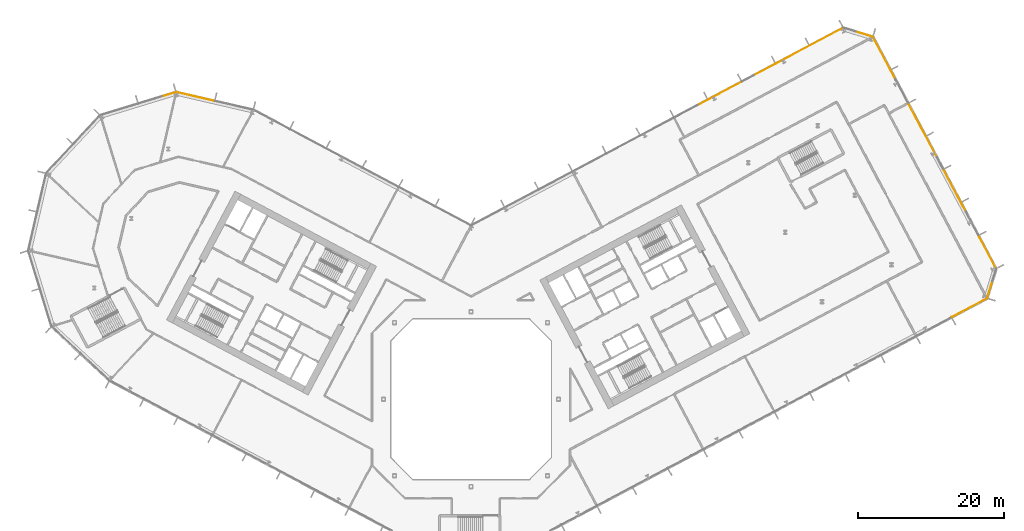
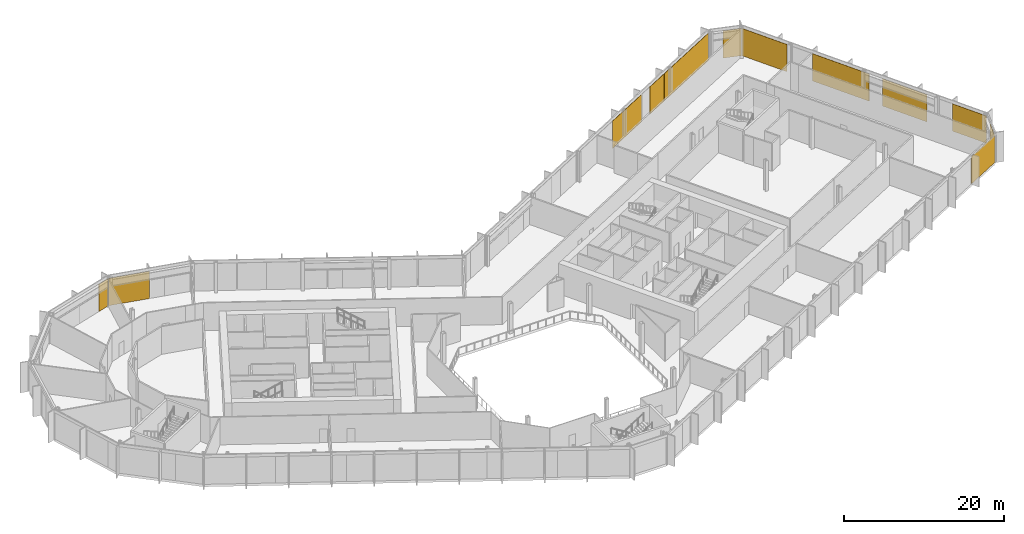
# One storey, part 30 of 30: 12 coverings, 7 elements without a shape of their own.
"""IFC4 building model written with IfcOpenShell, lengths in metres."""

from ifc_helpers import new_model, si_unit, direction, frame, origin, origin_2d, place, context, subcontext, project, spatial, rectangle, extrude, material, layer, layer_set, type_object, element, aggregate, save


model = new_model("IFC4")

# Units and contexts
model_context = context("Model", 3, precision=1e-05, world=origin(), true_north=direction((0.0, 1.0)))
body_context = subcontext(model_context, "Body", "Model", "MODEL_VIEW")
ifc_project = project(units=[si_unit("LENGTHUNIT", "METRE"), si_unit("AREAUNIT", "SQUARE_METRE"), si_unit("VOLUMEUNIT", "CUBIC_METRE"), si_unit("PLANEANGLEUNIT", "RADIAN"), si_unit("MASSUNIT", "GRAM", prefix="KILO")], contexts=[model_context])

# Site, building, storey
site_placement = place(None, origin())
site = spatial("IfcSite", under=ifc_project, at=site_placement, CompositionType="ELEMENT")
building_placement = place(site_placement, origin())
building = spatial("IfcBuilding", under=site, at=building_placement, Name="Cormorant Relay Tower", CompositionType="ELEMENT")
storey_placement = place(building_placement, frame((0.0, 0.0, 84.60009765625)))
storey = spatial("IfcBuildingStorey", under=building, at=storey_placement, Name="L16", CompositionType="ELEMENT", Elevation=84.60009765625)

# Curtain wall, covering
ifc_material_1 = material(Name="Aluminium 6063-T6 anodised bronze", Category="aluminium")
ifc_layer_1 = layer(ifc_material_1, 0.199951171875)
ifc_layer_set_1 = layer_set([ifc_layer_1], Name="CW1 unitised bronze curtain wall with vertical fins")
curtain_wall_type = type_object("IfcCurtainWallType", Name="CW1 unitised bronze curtain wall with vertical fins", PredefinedType="NOTDEFINED", material=ifc_layer_set_1)
curtain_wall_1_placement = place(storey_placement, origin())
curtain_wall_1 = element("IfcCurtainWall", 1, at=curtain_wall_1_placement, inside=storey, type_object=curtain_wall_type, Name="CW1 curtain wall 2", PredefinedType="NOTDEFINED")
ifc_material_2 = material(Name="Pale bronze anodised aluminium insulated panel", Category="aluminium")
ifc_layer_2 = layer(ifc_material_2, 0.0400390625)
ifc_layer_set_2 = layer_set([ifc_layer_2], Name="CW1 pale bronze insulated panel 40")
covering_type = type_object("IfcCoveringType", Name="CW1 pale bronze insulated panel 40", PredefinedType="CLADDING", material=ifc_layer_set_2)
covering_1_placement = place(storey_placement, frame((68.391357421875, 12.557861328125, 0.0), z_axis=(0.0, 0.0, 1.0), x_axis=(0.882947592859, 0.469471562786, 0.0)))
covering_1 = element("IfcCovering", 2, at=covering_1_placement, type_object=covering_type, Name="CW1 panel S14", PredefinedType="CLADDING", context=body_context, shape_type="SweptSolid", body=[
    extrude(rectangle(XDim=5.436767578125, YDim=0.0400390625, at=origin_2d()), origin(), (0.0, 0.0, 1.0), 4.14990234375),
])
aggregate(curtain_wall_1, [covering_1])

curtain_wall_2_placement = place(storey_placement, origin())
curtain_wall_2 = element("IfcCurtainWall", 3, at=curtain_wall_2_placement, inside=storey, type_object=curtain_wall_type, Name="CW1 curtain wall 3", PredefinedType="NOTDEFINED")
covering_2_placement = place(storey_placement, frame((71.16943359375, 15.049560546875, 0.0), z_axis=(0.0, 0.0, 1.0), x_axis=(0.292371704723, 0.956304755963, 0.0)))
covering_2 = element("IfcCovering", 4, at=covering_2_placement, type_object=covering_type, Name="CW1 panel S00", PredefinedType="CLADDING", context=body_context, shape_type="SweptSolid", body=[
    extrude(rectangle(XDim=2.36767578125, YDim=0.0400390625, at=origin_2d()), origin(), (0.0, 0.0, 1.0), 4.14990234375),
])
aggregate(curtain_wall_2, [covering_2])

# Curtain wall, coverings
curtain_wall_3_placement = place(storey_placement, origin())
curtain_wall_3 = element("IfcCurtainWall", 5, at=curtain_wall_3_placement, inside=storey, type_object=curtain_wall_type, Name="CW1 curtain wall 4", PredefinedType="NOTDEFINED")
covering_3_placement = place(storey_placement, frame((70.833251953125, 20.188720703125, 0.0), z_axis=(0.0, 0.0, 1.0), x_axis=(-0.469471562786, 0.882947592859, 0.0)))
covering_3 = element("IfcCovering", 6, at=covering_3_placement, type_object=covering_type, Name="CW1 panel S00", PredefinedType="CLADDING", context=body_context, shape_type="SweptSolid", body=[
    extrude(rectangle(XDim=4.992919921875, YDim=0.0400390625, at=origin_2d()), origin(), (0.0, 0.0, 1.0), 4.14990234375),
])
covering_4_placement = place(storey_placement, frame((66.366455078125, 28.58935546875, 0.0), z_axis=(0.0, 0.0, 1.0), x_axis=(-0.469471562786, 0.882947592859, 0.0)))
covering_4 = element("IfcCovering", 7, at=covering_4_placement, type_object=covering_type, Name="CW1 panel S02", PredefinedType="CLADDING", context=body_context, shape_type="SweptSolid", body=[
    extrude(rectangle(XDim=6.53564453125, YDim=0.0400390625, at=origin_2d()), origin(), (0.0, 0.0, 1.0), 4.14990234375),
])
covering_5_placement = place(storey_placement, frame((61.960205078125, 36.87646484375, 0.0), z_axis=(0.0, 0.0, 1.0), x_axis=(-0.469471562786, 0.882947592859, 0.0)))
covering_5 = element("IfcCovering", 8, at=covering_5_placement, type_object=covering_type, Name="CW1 panel S04", PredefinedType="CLADDING", context=body_context, shape_type="SweptSolid", body=[
    extrude(rectangle(XDim=8.335693359375, YDim=0.0400390625, at=origin_2d()), origin(), (0.0, 0.0, 1.0), 4.14990234375),
])
covering_6_placement = place(storey_placement, frame((56.691162109375, 46.785888671875, 0.0), z_axis=(0.0, 0.0, 1.0), x_axis=(-0.469471562786, 0.882947592859, 0.0)))
covering_6 = element("IfcCovering", 9, at=covering_6_placement, type_object=covering_type, Name="CW1 panel S06", PredefinedType="CLADDING", context=body_context, shape_type="SweptSolid", body=[
    extrude(rectangle(XDim=6.610595703125, YDim=0.0400390625, at=origin_2d()), origin(), (0.0, 0.0, 1.0), 4.14990234375),
])
aggregate(curtain_wall_3, [covering_3, covering_4, covering_5, covering_6])

# Curtain wall, covering
curtain_wall_4_placement = place(storey_placement, origin())
curtain_wall_4 = element("IfcCurtainWall", 10, at=curtain_wall_4_placement, inside=storey, type_object=curtain_wall_type, Name="CW1 curtain wall 5", PredefinedType="NOTDEFINED")
covering_7_placement = place(storey_placement, frame((53.923828125, 50.082275390625, 0.0), z_axis=(0.0, 0.0, 1.0), x_axis=(-0.956304755963, 0.292371704723, 0.0)))
covering_7 = element("IfcCovering", 11, at=covering_7_placement, type_object=covering_type, Name="CW1 panel S00", PredefinedType="CLADDING", context=body_context, shape_type="SweptSolid", body=[
    extrude(rectangle(XDim=2.36767578125, YDim=0.0400390625, at=origin_2d()), origin(), (0.0, 0.0, 1.0), 4.14990234375),
])
aggregate(curtain_wall_4, [covering_7])

# Curtain wall, coverings
curtain_wall_5_placement = place(storey_placement, origin())
curtain_wall_5 = element("IfcCurtainWall", 12, at=curtain_wall_5_placement, inside=storey, type_object=curtain_wall_type, Name="CW1 curtain wall 6", PredefinedType="NOTDEFINED")
covering_8_placement = place(storey_placement, frame((46.412841796875, 48.48486328125, 0.0), z_axis=(0.0, 0.0, 1.0), x_axis=(-0.882947592859, -0.469471562786, 0.0)))
covering_8 = element("IfcCovering", 13, at=covering_8_placement, type_object=covering_type, Name="CW1 panel S00", PredefinedType="CLADDING", context=body_context, shape_type="SweptSolid", body=[
    extrude(rectangle(XDim=10.365234375, YDim=0.0400390625, at=origin_2d()), origin(), (0.0, 0.0, 1.0), 4.14990234375),
])
covering_9_placement = place(storey_placement, frame((40.244140625, 45.204833984375, 0.0), z_axis=(0.0, 0.0, 1.0), x_axis=(-0.882947592859, -0.469471562786, 0.0)))
covering_9 = element("IfcCovering", 14, at=covering_9_placement, type_object=covering_type, Name="CW1 panel S01", PredefinedType="CLADDING", context=body_context, shape_type="SweptSolid", body=[
    extrude(rectangle(XDim=3.3076171875, YDim=0.0400390625, at=origin_2d()), origin(), (0.0, 0.0, 1.0), 4.14990234375),
])
covering_10_placement = place(storey_placement, frame((34.075439453125, 41.9248046875, 0.0), z_axis=(0.0, 0.0, 1.0), x_axis=(-0.882947592859, -0.469471562786, 0.0)))
covering_10 = element("IfcCovering", 15, at=covering_10_placement, type_object=covering_type, Name="CW1 panel S03", PredefinedType="CLADDING", context=body_context, shape_type="SweptSolid", body=[
    extrude(rectangle(XDim=6.765380859375, YDim=0.0400390625, at=origin_2d()), origin(), (0.0, 0.0, 1.0), 4.14990234375),
])
aggregate(curtain_wall_5, [covering_8, covering_9, covering_10])

# Curtain wall, covering
curtain_wall_6_placement = place(storey_placement, origin())
curtain_wall_6 = element("IfcCurtainWall", 16, at=curtain_wall_6_placement, inside=storey, type_object=curtain_wall_type, Name="CW1 curtain wall 8", PredefinedType="NOTDEFINED")
covering_11_placement = place(storey_placement, frame((-37.849609375, 41.530029296875, 0.0), z_axis=(0.0, 0.0, 1.0), x_axis=(-0.974370064785, 0.224951054344, 0.0)))
covering_11 = element("IfcCovering", 17, at=covering_11_placement, type_object=covering_type, Name="CW1 panel S02", PredefinedType="CLADDING", context=body_context, shape_type="SweptSolid", body=[
    extrude(rectangle(XDim=5.360107421875, YDim=0.0400390625, at=origin_2d()), origin(), (0.0, 0.0, 1.0), 4.14990234375),
])
aggregate(curtain_wall_6, [covering_11])

curtain_wall_7_placement = place(storey_placement, origin())
curtain_wall_7 = element("IfcCurtainWall", 18, at=curtain_wall_7_placement, inside=storey, type_object=curtain_wall_type, Name="CW1 curtain wall 9", PredefinedType="NOTDEFINED")
covering_12_placement = place(storey_placement, frame((-41.348876953125, 41.8642578125, 0.0), z_axis=(0.0, 0.0, 1.0), x_axis=(-0.956304755963, -0.292371704723, 0.0)))
covering_12 = element("IfcCovering", 19, at=covering_12_placement, type_object=covering_type, Name="CW1 panel S00", PredefinedType="CLADDING", context=body_context, shape_type="SweptSolid", body=[
    extrude(rectangle(XDim=1.685302734375, YDim=0.0400390625, at=origin_2d()), origin(), (0.0, 0.0, 1.0), 4.14990234375),
])
aggregate(curtain_wall_7, [covering_12])

save(model, "model.ifc")
